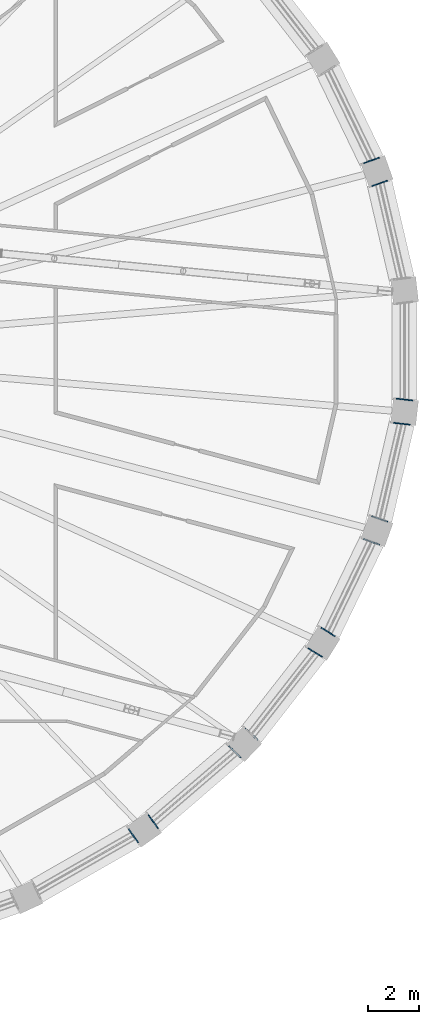
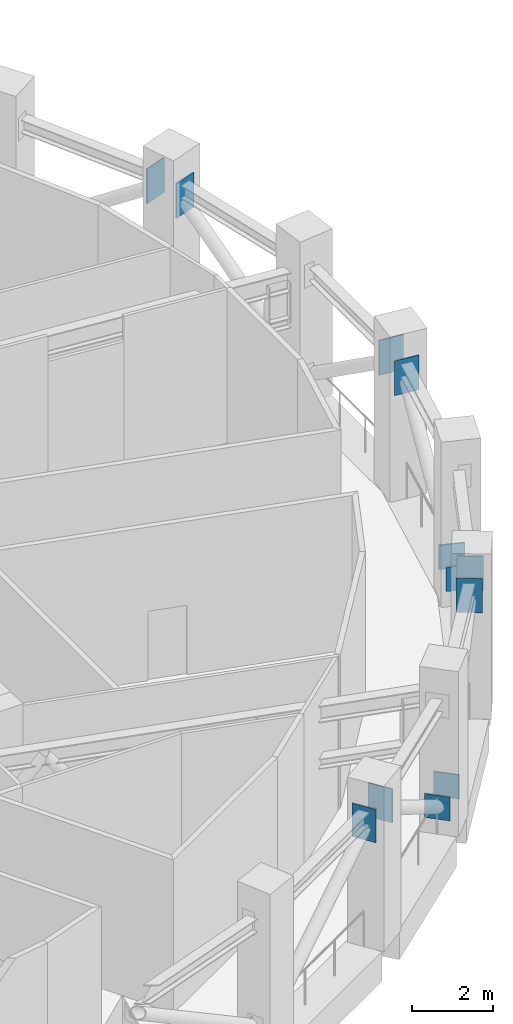
# One storey, part 13 of 20: 12 discrete accessories.
"""IFC4 building model written with IfcOpenShell, lengths in metres."""

from ifc_helpers import new_model, si_unit, direction, frame, origin, origin_2d, place, context, subcontext, project, spatial, rectangle, extrude, material, layer, layer_set, type_object, element, save


model = new_model("IFC4")

# Units and contexts
model_context = context("Model", 3, precision=1e-05, world=origin(), true_north=direction((0.0, 1.0)))
body_context = subcontext(model_context, "Body", "Model", "MODEL_VIEW")
ifc_project = project(units=[si_unit("LENGTHUNIT", "METRE"), si_unit("AREAUNIT", "SQUARE_METRE"), si_unit("VOLUMEUNIT", "CUBIC_METRE"), si_unit("PLANEANGLEUNIT", "RADIAN"), si_unit("MASSUNIT", "GRAM", prefix="KILO")], contexts=[model_context])

# Site, building, storey
site_placement = place(None, origin())
site = spatial("IfcSite", under=ifc_project, at=site_placement, CompositionType="ELEMENT")
building_placement = place(site_placement, origin())
building = spatial("IfcBuilding", under=site, at=building_placement, Name="Halqa Exchange Tower", CompositionType="ELEMENT")
storey_placement = place(building_placement, frame((0.0, 0.0, 328.300048828125)))
storey = spatial("IfcBuildingStorey", under=building, at=storey_placement, Name="L77", CompositionType="ELEMENT", Elevation=328.300048828125)

# Discrete accessories
ifc_material = material(Name="Steel S355", Category="steel")
ifc_layer = layer(ifc_material, 0.0400390625)
ifc_layer_set = layer_set([ifc_layer], Name="Steel S355")
discrete_accessory_type = type_object("IfcDiscreteAccessoryType", Name="Belt truss anchor plate 40", PredefinedType="ANCHORPLATE", material=ifc_layer_set)
discrete_accessory_1_placement = place(storey_placement, frame((27.0703125, 7.507568359375, 3.727783203125), z_axis=(-0.336336396998, 0.941741911595, 0.0), x_axis=(-0.941741911595, -0.336336396998, 0.0)))
element("IfcDiscreteAccessory", 1, at=discrete_accessory_1_placement, inside=storey, type_object=discrete_accessory_type, Name="Belt truss anchor plate", PredefinedType="ANCHORPLATE", context=body_context, shape_type="SweptSolid", body=[
    extrude(rectangle(XDim=0.656005859375, YDim=1.0439453125, at=origin_2d()), origin(), (0.0, 0.0, 1.0), 0.0400390625),
])
discrete_accessory_2_placement = place(storey_placement, frame((27.376220703125, 6.639892578125, 3.723876953125), z_axis=(0.328993186606, -0.944332294887, 0.0), x_axis=(0.944332294887, 0.328993186606, 0.0)))
element("IfcDiscreteAccessory", 2, at=discrete_accessory_2_placement, inside=storey, type_object=discrete_accessory_type, Name="Belt truss anchor plate", PredefinedType="ANCHORPLATE", context=body_context, shape_type="SweptSolid", body=[
    extrude(rectangle(XDim=0.656005859375, YDim=1.052001953125, at=origin_2d()), origin(), (0.0, 0.0, 1.0), 0.0400390625),
])
discrete_accessory_3_placement = place(storey_placement, frame((18.430419921875, -18.581787109375, 3.738525390625), z_axis=(0.81865747399, 0.57428210862, 0.0), x_axis=(-0.57428210862, 0.81865747399, 0.0)))
element("IfcDiscreteAccessory", 3, at=discrete_accessory_3_placement, inside=storey, type_object=discrete_accessory_type, Name="Belt truss anchor plate", PredefinedType="ANCHORPLATE", context=body_context, shape_type="SweptSolid", body=[
    extrude(rectangle(XDim=0.656005859375, YDim=1.02294921875, at=origin_2d()), origin(), (0.0, 0.0, 1.0), 0.0400390625),
])
discrete_accessory_4_placement = place(storey_placement, frame((17.6787109375, -19.1123046875, 3.744140625), z_axis=(-0.81865747399, -0.57428210862, 0.0), x_axis=(0.57428210862, -0.81865747399, 0.0)))
element("IfcDiscreteAccessory", 4, at=discrete_accessory_4_placement, inside=storey, type_object=discrete_accessory_type, Name="Belt truss anchor plate", PredefinedType="ANCHORPLATE", context=body_context, shape_type="SweptSolid", body=[
    extrude(rectangle(XDim=0.656005859375, YDim=1.011962890625, at=origin_2d()), origin(), (0.0, 0.0, 1.0), 0.0400390625),
])
discrete_accessory_5_placement = place(storey_placement, frame((22.314208984375, -15.1318359375, 0.8193359375), z_axis=(0.68858929503, 0.725151558483, 0.0), x_axis=(-0.725151558483, 0.68858929503, 0.0)))
element("IfcDiscreteAccessory", 5, at=discrete_accessory_5_placement, inside=storey, type_object=discrete_accessory_type, Name="Belt truss anchor plate", PredefinedType="ANCHORPLATE", context=body_context, shape_type="SweptSolid", body=[
    extrude(rectangle(XDim=0.656005859375, YDim=0.72900390625, at=origin_2d()), origin(), (0.0, 0.0, 1.0), 0.0400390625),
])
discrete_accessory_6_placement = place(storey_placement, frame((21.678955078125, -15.79736328125, 0.809326171875), z_axis=(-0.691639439628, -0.722242954656, 0.0), x_axis=(0.722242954656, -0.691639439628, 0.0)))
element("IfcDiscreteAccessory", 6, at=discrete_accessory_6_placement, inside=storey, type_object=discrete_accessory_type, Name="Belt truss anchor plate", PredefinedType="ANCHORPLATE", context=body_context, shape_type="SweptSolid", body=[
    extrude(rectangle(XDim=0.656005859375, YDim=0.72509765625, at=origin_2d()), origin(), (0.0, 0.0, 1.0), 0.039794921875),
])
discrete_accessory_7_placement = place(storey_placement, frame((25.3349609375, -11.098388671875, 3.727294921875), z_axis=(0.527815847616, 0.849358835243, 0.0), x_axis=(-0.849358835243, 0.527815847616, 0.0)))
element("IfcDiscreteAccessory", 7, at=discrete_accessory_7_placement, inside=storey, type_object=discrete_accessory_type, Name="Belt truss anchor plate", PredefinedType="ANCHORPLATE", context=body_context, shape_type="SweptSolid", body=[
    extrude(rectangle(XDim=0.656005859375, YDim=1.044921875, at=origin_2d()), origin(), (0.0, 0.0, 1.0), 0.040283203125),
])
discrete_accessory_8_placement = place(storey_placement, frame((24.849365234375, -11.879638671875, 3.73291015625), z_axis=(-0.530546985787, -0.847655529016, 0.0), x_axis=(0.847655529016, -0.530546985787, 0.0)))
element("IfcDiscreteAccessory", 8, at=discrete_accessory_8_placement, inside=storey, type_object=discrete_accessory_type, Name="Belt truss anchor plate", PredefinedType="ANCHORPLATE", context=body_context, shape_type="SweptSolid", body=[
    extrude(rectangle(XDim=0.656005859375, YDim=1.033935546875, at=origin_2d()), origin(), (0.0, 0.0, 1.0), 0.0400390625),
])
discrete_accessory_9_placement = place(storey_placement, frame((27.376220703125, -6.639892578125, 0.834716796875), z_axis=(0.328993186606, 0.944332294887, 0.0), x_axis=(-0.944332294887, 0.328993186606, 0.0)))
element("IfcDiscreteAccessory", 9, at=discrete_accessory_9_placement, inside=storey, type_object=discrete_accessory_type, Name="Belt truss anchor plate", PredefinedType="ANCHORPLATE", context=body_context, shape_type="SweptSolid", body=[
    extrude(rectangle(XDim=0.656005859375, YDim=0.735107421875, at=origin_2d()), origin(), (0.0, 0.0, 1.0), 0.0400390625),
])
discrete_accessory_10_placement = place(storey_placement, frame((27.0703125, -7.507568359375, 0.828125), z_axis=(-0.336336396998, -0.941741911595, 0.0), x_axis=(0.941741911595, -0.336336396998, 0.0)))
element("IfcDiscreteAccessory", 10, at=discrete_accessory_10_placement, inside=storey, type_object=discrete_accessory_type, Name="Belt truss anchor plate", PredefinedType="ANCHORPLATE", context=body_context, shape_type="SweptSolid", body=[
    extrude(rectangle(XDim=0.656005859375, YDim=0.73193359375, at=origin_2d()), origin(), (0.0, 0.0, 1.0), 0.0400390625),
])
discrete_accessory_11_placement = place(storey_placement, frame((28.361328125, -1.93115234375, 3.72216796875), z_axis=(0.116485527129, 0.993192389202, 0.0), x_axis=(-0.993192389202, 0.116485527129, 0.0)))
element("IfcDiscreteAccessory", 11, at=discrete_accessory_11_placement, inside=storey, type_object=discrete_accessory_type, Name="Belt truss anchor plate", PredefinedType="ANCHORPLATE", context=body_context, shape_type="SweptSolid", body=[
    extrude(rectangle(XDim=0.656005859375, YDim=1.054931640625, at=origin_2d()), origin(), (0.0, 0.0, 1.0), 0.039794921875),
])
discrete_accessory_12_placement = place(storey_placement, frame((28.2568359375, -2.84521484375, 3.7236328125), z_axis=(-0.115780500934, -0.993274823804, 0.0), x_axis=(0.993274823804, -0.115780500934, 0.0)))
element("IfcDiscreteAccessory", 12, at=discrete_accessory_12_placement, inside=storey, type_object=discrete_accessory_type, Name="Belt truss anchor plate", PredefinedType="ANCHORPLATE", context=body_context, shape_type="SweptSolid", body=[
    extrude(rectangle(XDim=0.656005859375, YDim=1.052978515625, at=origin_2d()), origin(), (0.0, 0.0, 1.0), 0.0400390625),
])

save(model, "model.ifc")
